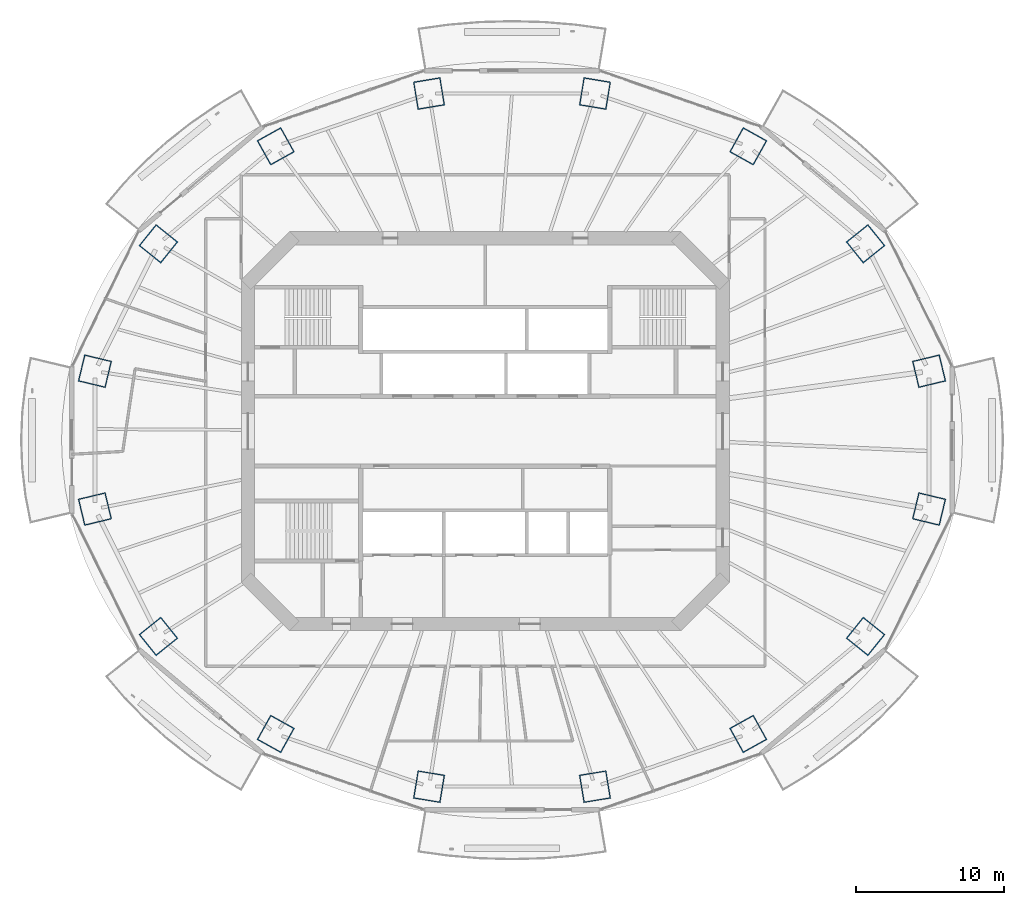
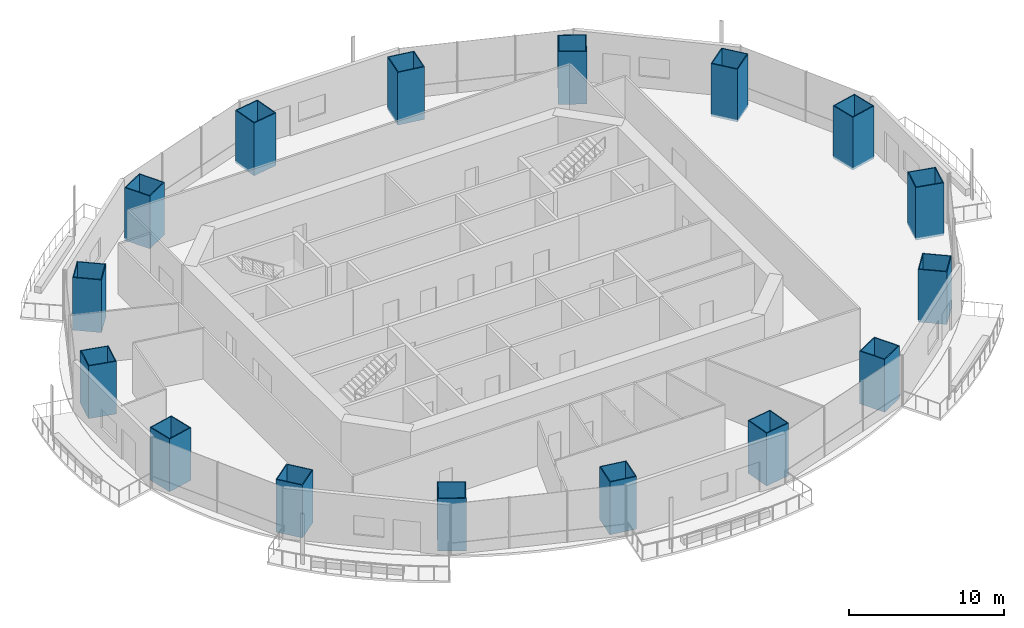
# One storey, part 1 of 19: 16 columns.
"""IFC4 building model written with IfcOpenShell, lengths in metres."""

import ifcopenshell
import ifcopenshell.guid

model = None  # the IFC model being written
_history = None  # IfcOwnerHistory: only IFC2X3 demands one
_inside = {}  # id of a spatial element -> (the spatial element, [elements in it])
_under = {}  # id of a project, library or spatial element -> (it, [spatial elements below it])
_declared = {}  # id of a project -> (the project, [libraries it declares])
_typed = {}  # id of a type object -> (the type object, [elements of that type])
_made_of = {}  # id of a material, layer set ... -> (it, [elements and type objects made of it])


def new_model(schema):
    """Start an empty IFC model of exactly this schema.

    Asked for "IFC4X3", IfcOpenShell would pick the latest addendum, in which some entities
    have other attributes; the version numbers below select the first issue.
    IFC2X3 requires an IfcOwnerHistory on every rooted entity: one is made here for all.
    """
    global model, _history
    if schema == "IFC4X3":
        model = ifcopenshell.file(schema_version=(4, 3, 0, 0))
    else:
        model = ifcopenshell.file(schema=schema)
    _inside.clear()
    _under.clear()
    _declared.clear()
    _typed.clear()
    _made_of.clear()
    _history = None
    if model.schema == "IFC2X3":
        org = make("IfcOrganization", Name="unknown")
        user = make(
            "IfcPersonAndOrganization",
            ThePerson=make("IfcPerson", FamilyName="unknown"),
            TheOrganization=org,
        )
        app = make(
            "IfcApplication",
            ApplicationDeveloper=org,
            Version="unknown",
            ApplicationFullName="unknown",
            ApplicationIdentifier="unknown",
        )
        _history = make(
            "IfcOwnerHistory",
            OwningUser=user,
            OwningApplication=app,
            ChangeAction="ADDED",
            CreationDate=0,
        )
    return model


def make(cls, **values):
    """One entity of the class cls with the attributes given. An attribute that is None is left unset."""
    return model.create_entity(
        cls, **{name: value for name, value in values.items() if value is not None}
    )


def rooted(cls, **values):
    """An entity with a GlobalId (a new one), such as an element, a storey or a relation."""
    return make(cls, GlobalId=ifcopenshell.guid.new(), OwnerHistory=_history, **values)


def si_unit(unit_type, name, prefix=None):
    """IfcSIUnit, for example si_unit("LENGTHUNIT", "METRE", prefix="MILLI")."""
    return make("IfcSIUnit", UnitType=unit_type, Prefix=prefix, Name=name)


def assignment(units):
    """IfcUnitAssignment: the units of a project."""
    return None if units is None else make("IfcUnitAssignment", Units=units)


def point(xyz):
    """IfcCartesianPoint."""
    return None if xyz is None else make("IfcCartesianPoint", Coordinates=xyz)


def direction(xyz):
    """IfcDirection."""
    return None if xyz is None else make("IfcDirection", DirectionRatios=xyz)


def frame(location, z_axis=None, x_axis=None):
    """IfcAxis2Placement3D, a coordinate frame: its origin and axes. An axis left out is left unset."""
    return make(
        "IfcAxis2Placement3D",
        Location=point(location),
        Axis=direction(z_axis),
        RefDirection=direction(x_axis),
    )


def frame_2d(location, x_axis=None):
    """IfcAxis2Placement2D, a coordinate frame in the plane: its origin and x axis."""
    return make(
        "IfcAxis2Placement2D", Location=point(location), RefDirection=direction(x_axis)
    )


def origin():
    """The frame at (0, 0, 0) with its axes left unset."""
    return frame((0.0, 0.0, 0.0))


def origin_2d():
    """The frame at (0, 0) in the plane with its x axis left unset."""
    return frame_2d((0.0, 0.0))


def place(relative_to, where):
    """IfcLocalPlacement: puts the frame where relative to a parent placement (None: the world)."""
    return make(
        "IfcLocalPlacement", PlacementRelTo=relative_to, RelativePlacement=where
    )


def context(
    kind, dimensions, precision=None, world=None, true_north=None, identifier=None
):
    """IfcGeometricRepresentationContext, for example the 3D "Model" context."""
    return make(
        "IfcGeometricRepresentationContext",
        ContextIdentifier=identifier,
        ContextType=kind,
        CoordinateSpaceDimension=dimensions,
        Precision=precision,
        WorldCoordinateSystem=world,
        TrueNorth=true_north,
    )


def subcontext(parent, identifier, kind, view, scale=None):
    """IfcGeometricRepresentationSubContext, for example "Body" below "Model"."""
    return make(
        "IfcGeometricRepresentationSubContext",
        ContextIdentifier=identifier,
        ContextType=kind,
        ParentContext=parent,
        TargetScale=scale,
        TargetView=view,
    )


def project(units=None, contexts=None):
    """IfcProject with its units and contexts."""
    return rooted(
        "IfcProject",
        Name="project",
        RepresentationContexts=contexts,
        UnitsInContext=assignment(units),
    )


def spatial(cls, under=None, at=None, **own):
    """A site, building, storey or space (cls), placed at a placement, below another one or the project."""
    s = rooted(cls, ObjectPlacement=at, **own)
    if under is not None:
        _under.setdefault(under.id(), (under, []))[1].append(s)
    return s


def profile(cls, at=None, kind="AREA", **sizes):
    """A parametric profile (cls). Its sizes go by their IFC names, for example OverallWidth=200.0."""
    return make(cls, ProfileType=kind, Position=at, **sizes)


def rectangle(**sizes):
    """IfcRectangleProfileDef."""
    return profile("IfcRectangleProfileDef", **sizes)


def hollow_rectangle(**sizes):
    """IfcRectangleHollowProfileDef."""
    return profile("IfcRectangleHollowProfileDef", **sizes)


def extrude(swept, where, along, depth):
    """IfcExtrudedAreaSolid: the profile swept, set in the frame where, extruded along a direction by depth."""
    return make(
        "IfcExtrudedAreaSolid",
        SweptArea=swept,
        Position=where,
        ExtrudedDirection=direction(along),
        Depth=depth,
    )


def shape(context_of_items, identifier, shape_type, items):
    """IfcShapeRepresentation: the items that make up one representation, for example the "Body"."""
    return make(
        "IfcShapeRepresentation",
        ContextOfItems=context_of_items,
        RepresentationIdentifier=identifier,
        RepresentationType=shape_type,
        Items=items,
    )


def material(Name=None, Category=None):
    """IfcMaterial."""
    return make("IfcMaterial", Name=Name, Category=Category)


def material_profile(
    of_material, cross_section, Name=None, Category=None, Priority=None
):
    """IfcMaterialProfile: a cross section and its material."""
    return make(
        "IfcMaterialProfile",
        Name=Name,
        Material=of_material,
        Profile=cross_section,
        Priority=Priority,
        Category=Category,
    )


def profile_set(profiles, Name=None, composite=None):
    """IfcMaterialProfileSet."""
    return make(
        "IfcMaterialProfileSet",
        Name=Name,
        MaterialProfiles=profiles,
        CompositeProfile=composite,
    )


def made_of(thing, what):
    """Note that an element or type object is made of a material, layer set ...; save() writes the relation."""
    if what is not None:
        _made_of.setdefault(what.id(), (what, []))[1].append(thing)
    return thing


def type_object(cls, material=None, **own):
    """A type object (cls), such as IfcWallType, which elements share."""
    return made_of(rooted(cls, **own), material)


def element(
    cls,
    number,
    at=None,
    inside=None,
    cuts=None,
    type_object=None,
    material=None,
    context=None,
    identifier="Body",
    shape_type=None,
    held_by="IfcProductDefinitionShape",
    body=None,
    shapes=None,
    **own,
):
    """One element of the class cls, such as IfcWall. Its Tag is "e" and its number.

    at: its placement. inside: the storey or other place that contains it. cuts: it is an
    opening in that element (IfcRelVoidsElement). A single representation is given by context,
    identifier, shape_type and body (its items); several are given by shapes. held_by: the class
    of the entity that holds the representations. save() writes the other relations.
    """
    e = rooted(cls, Tag="e%d" % number, ObjectPlacement=at, **own)
    if body is not None:
        shapes = [shape(context, identifier, shape_type, body)]
    if shapes is not None:
        e.Representation = make(held_by, Representations=shapes)
    if inside is not None:
        _inside.setdefault(inside.id(), (inside, []))[1].append(e)
    if cuts is not None:
        rooted(
            "IfcRelVoidsElement", RelatingBuildingElement=cuts, RelatedOpeningElement=e
        )
    if type_object is not None:
        _typed.setdefault(type_object.id(), (type_object, []))[1].append(e)
    return made_of(e, material)


def aggregate(whole, parts):
    """IfcRelAggregates: a whole, such as a stair, and the parts it consists of."""
    return rooted("IfcRelAggregates", RelatingObject=whole, RelatedObjects=parts)


def save(model, path):
    """Write the relations noted so far, then the file.

    IfcRelAggregates (storeys below a building ...), IfcRelContainedInSpatialStructure (elements
    in a storey), IfcRelDefinesByType, IfcRelAssociatesMaterial and IfcRelDeclares: one each for
    every whole, place, type object, material and project.
    """
    for whole, parts in _under.values():
        aggregate(whole, parts)
    for where, things in _inside.values():
        rooted(
            "IfcRelContainedInSpatialStructure",
            RelatedElements=things,
            RelatingStructure=where,
        )
    for kind, things in _typed.values():
        rooted("IfcRelDefinesByType", RelatedObjects=things, RelatingType=kind)
    for what, things in _made_of.values():
        rooted("IfcRelAssociatesMaterial", RelatedObjects=things, RelatingMaterial=what)
    for by, libraries in _declared.values():
        rooted("IfcRelDeclares", RelatingContext=by, RelatedDefinitions=libraries)
    model.write(path)


model = new_model("IFC4")

# Units and contexts
model_context = context("Model", 3, precision=1e-05, world=origin(), true_north=direction((0.0, 1.0)))
body_context = subcontext(model_context, "Body", "Model", "MODEL_VIEW")
ifc_project = project(units=[si_unit("LENGTHUNIT", "METRE"), si_unit("AREAUNIT", "SQUARE_METRE"), si_unit("VOLUMEUNIT", "CUBIC_METRE"), si_unit("PLANEANGLEUNIT", "RADIAN"), si_unit("MASSUNIT", "GRAM", prefix="KILO")], contexts=[model_context])

# Site, building, storey
site_placement = place(None, origin())
site = spatial("IfcSite", under=ifc_project, at=site_placement, CompositionType="ELEMENT")
building_placement = place(site_placement, origin())
building = spatial("IfcBuilding", under=site, at=building_placement, Name="Marenthal Gate Tower", CompositionType="ELEMENT")
storey_placement = place(building_placement, frame((0.0, 0.0, 235.75)))
storey = spatial("IfcBuildingStorey", under=building, at=storey_placement, Name="L52", CompositionType="ELEMENT", Elevation=235.75)

# Columns
ifc_material_1 = material(Name="Steel S460", Category="steel")
ifc_material_profile_1 = material_profile(ifc_material_1, hollow_rectangle(XDim=1.85009765625, YDim=1.89990234375, WallThickness=0.06494140625, at=origin_2d()), Name="CFT BOX 1900X1850X65")
ifc_material_2 = material(Name="Concrete 70 MPa", Category="concrete")
ifc_material_profile_2 = material_profile(ifc_material_2, rectangle(XDim=1.719970703125, YDim=1.77001953125, at=origin_2d()), Name="CFT BOX 1900X1850X65 INFILL")
ifc_profile_set = profile_set([ifc_material_profile_1, ifc_material_profile_2], Name="Steel S460 shell, Concrete 70 MPa infill")
column_type = type_object("IfcColumnType", Name="CFT BOX 1900X1850X65", PredefinedType="COLUMN", material=ifc_profile_set)
for number, where, z_axis, x_axis, name in (
    (1, (29.914306640625, 4.046875, -0.179931640625), (0.0, 0.0, 1.0), (0.232803807157, -0.972523720725, 0.0), "COL-L52-01"),
    (2, (25.634033203125, 12.633056640625, -0.179931640625), (0.0, 0.0, 1.0), (0.626651417242, -0.779299686429, 0.0), "COL-L52-02"),
    (3, (17.725341796875, 19.204833984375, -0.179931640625), (0.0, 0.0, 1.0), (0.874281880279, -0.485418575886, 0.0), "COL-L52-03"),
    (4, (7.392333984375, 22.76123046875, -0.179931640625), (0.0, 0.0, 1.0), (0.9866140326, -0.163072838561, 0.0), "COL-L52-04"),
    (5, (-3.792236328125, 22.76123046875, -0.179931640625), (0.0, 0.0, 1.0), (0.9866140326, 0.163072838561, 0.0), "COL-L52-05"),
    (6, (-14.12548828125, 19.204833984375, -0.179931640625), (0.0, 0.0, 1.0), (0.874281880279, 0.485418575886, 0.0), "COL-L52-06"),
    (7, (-22.0341796875, 12.633056640625, -0.179931640625), (0.0, 0.0, 1.0), (0.626651417242, 0.779299686429, 0.0), "COL-L52-07"),
    (8, (-26.314208984375, 4.046875, -0.179931640625), (0.0, 0.0, 1.0), (0.232803807157, 0.972523720725, 0.0), "COL-L52-08"),
    (9, (-26.314208984375, -5.246826171875, -0.179931640625), (0.0, 0.0, 1.0), (-0.232803807157, 0.972523720725, 0.0), "COL-L52-09"),
    (10, (-22.0341796875, -13.8330078125, -0.179931640625), (0.0, 0.0, 1.0), (-0.626651417242, 0.779299686429, 0.0), "COL-L52-10"),
    (11, (-14.12548828125, -20.40478515625, -0.179931640625), (0.0, 0.0, 1.0), (-0.874281880279, 0.485418575886, 0.0), "COL-L52-11"),
    (12, (-3.792236328125, -23.961181640625, -0.179931640625), (0.0, 0.0, 1.0), (-0.9866140326, 0.163072838561, 0.0), "COL-L52-12"),
    (13, (7.392333984375, -23.961181640625, -0.179931640625), (0.0, 0.0, 1.0), (-0.9866140326, -0.163072838561, 0.0), "COL-L52-13"),
    (14, (17.725341796875, -20.40478515625, -0.179931640625), (0.0, 0.0, 1.0), (-0.874281880279, -0.485418575886, 0.0), "COL-L52-14"),
    (15, (25.634033203125, -13.8330078125, -0.179931640625), (0.0, 0.0, 1.0), (-0.626651417242, -0.779299686429, 0.0), "COL-L52-15"),
    (16, (29.914306640625, -5.246826171875, -0.179931640625), (0.0, 0.0, 1.0), (-0.232803807157, -0.972523720725, 0.0), "COL-L52-16"),
):
    element("IfcColumn", number, at=place(storey_placement, frame(where, z_axis=z_axis, x_axis=x_axis)), inside=storey, type_object=column_type, Name=name, PredefinedType="COLUMN", context=body_context, shape_type="SweptSolid", body=[
        extrude(hollow_rectangle(XDim=1.85009765625, YDim=1.89990234375, WallThickness=0.06494140625, at=origin_2d()), origin(), (0.0, 0.0, 1.0), 4.14990234375),
    ])

save(model, "model.ifc")
